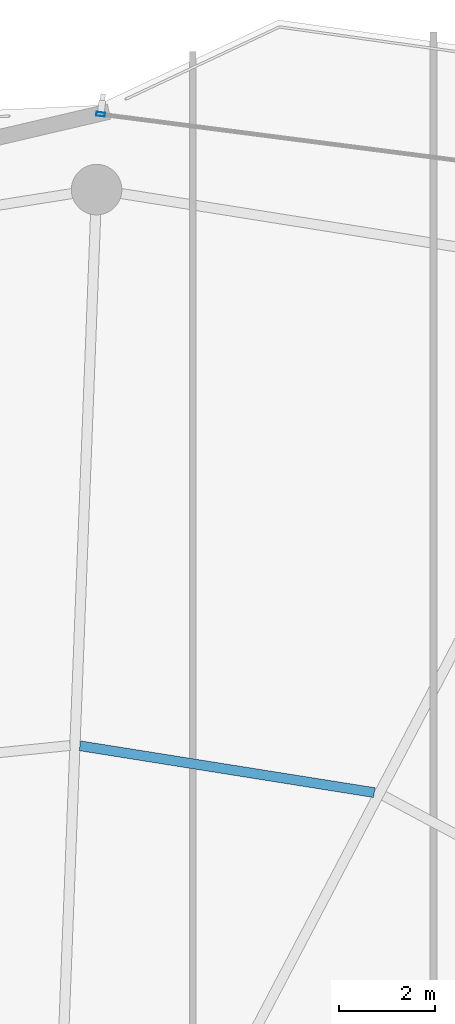
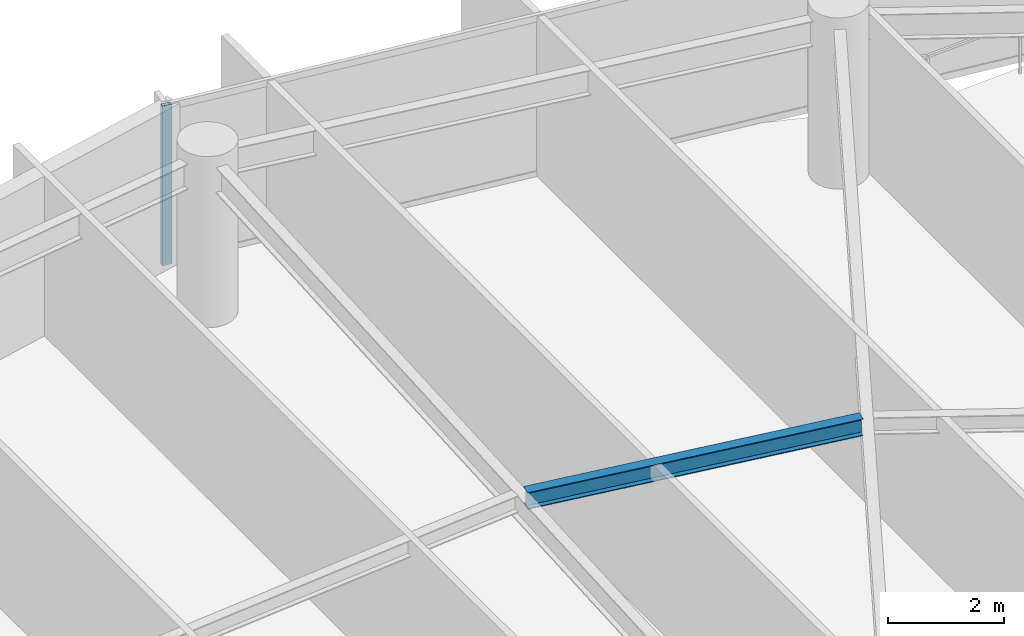
# One storey, part 20 of 30: 1 beam, 1 member, 1 element without a shape of its own.
"""IFC4 building model written with IfcOpenShell, lengths in metres."""

from ifc_helpers import new_model, si_unit, direction, frame, origin, origin_2d, place, context, subcontext, project, spatial, hollow_rectangle, i_section, extrude, material, layer, layer_set, material_profile, profile_set, type_object, element, aggregate, save


model = new_model("IFC4")

# Units and contexts
model_context = context("Model", 3, precision=1e-05, world=origin(), true_north=direction((0.0, 1.0)))
body_context = subcontext(model_context, "Body", "Model", "MODEL_VIEW")
ifc_project = project(units=[si_unit("LENGTHUNIT", "METRE"), si_unit("AREAUNIT", "SQUARE_METRE"), si_unit("VOLUMEUNIT", "CUBIC_METRE"), si_unit("PLANEANGLEUNIT", "RADIAN"), si_unit("MASSUNIT", "GRAM", prefix="KILO")], contexts=[model_context])

# Site, building, storey
site_placement = place(None, origin())
site = spatial("IfcSite", under=ifc_project, at=site_placement, CompositionType="ELEMENT")
building_placement = place(site_placement, origin())
building = spatial("IfcBuilding", under=site, at=building_placement, Name="Kazevale Care Tower and Concert Hall", CompositionType="ELEMENT")
storey_placement = place(building_placement, frame((0.0, 0.0, 242.39990234375)))
storey = spatial("IfcBuildingStorey", under=building, at=storey_placement, Name="L64", CompositionType="ELEMENT", Elevation=242.39990234375)

# Curtain wall, member
ifc_material_1 = material(Name="Aluminium 6063-T6 and Low-E Glass", Category="aluminium")
ifc_layer = layer(ifc_material_1, 0.179931640625)
ifc_layer_set = layer_set([ifc_layer], Name="Aluminium 6063-T6 and Low-E Glass")
curtain_wall_type = type_object("IfcCurtainWallType", Name="Waist & Upper Residential Curtain Wall CW-4", PredefinedType="NOTDEFINED", material=ifc_layer_set)
curtain_wall_placement = place(storey_placement, origin())
curtain_wall = element("IfcCurtainWall", 1, at=curtain_wall_placement, inside=storey, type_object=curtain_wall_type, Name="cw:L64:f16", PredefinedType="NOTDEFINED")
ifc_material_2 = material(Name="Aluminium 6063-T6", Category="aluminium")
ifc_material_profile_1 = material_profile(ifc_material_2, hollow_rectangle(XDim=0.080078125, YDim=0.179931640625, WallThickness=0.0048828125, at=origin_2d()), Name="ALU80x180x5")
ifc_profile_set_1 = profile_set([ifc_material_profile_1], Name="Aluminium 6063-T6")
member_type = type_object("IfcMemberType", Name="CW-4 Mullion ALU80x180x5", PredefinedType="MULLION", material=ifc_profile_set_1)
member_placement = place(storey_placement, frame((45.083740234375, 63.616943359375, 0.0), z_axis=(0.0, 0.0, 1.0), x_axis=(0.128098132904, 0.991761497713, 0.0)))
member = element("IfcMember", 2, at=member_placement, type_object=member_type, Name="CW-4 mullion 1", PredefinedType="MULLION", context=body_context, shape_type="SweptSolid", body=[
    extrude(hollow_rectangle(XDim=0.080078125, YDim=0.179931640625, WallThickness=0.0048828125, at=origin_2d()), origin(), (0.0, 0.0, 1.0), 3.360107421875),
])
aggregate(curtain_wall, [member])

# Beam
ifc_material_3 = material(Name="Steel ASTM A572 Gr 50", Category="steel")
ifc_material_profile_2 = material_profile(ifc_material_3, i_section(OverallWidth=0.205078125, OverallDepth=0.35400390625, WebThickness=0.009521484375, FlangeThickness=0.016845703125, at=origin_2d()), Name="W360x79")
ifc_profile_set_2 = profile_set([ifc_material_profile_2], Name="Steel ASTM A572 Gr 50")
beam_type = type_object("IfcBeamType", Name="Secondary Floor Joist W360x79", PredefinedType="JOIST", material=ifc_profile_set_2)
beam_placement = place(storey_placement, frame((50.77099609375, 49.51806640625, 3.18310546875), z_axis=(-0.987586560603, 0.157075731152, 0.0), x_axis=(-0.157075731152, -0.987586560603, 0.0)))
element("IfcBeam", 3, at=beam_placement, inside=storey, type_object=beam_type, Name="beam:L64:joist:04", PredefinedType="JOIST", context=body_context, shape_type="SweptSolid", body=[
    extrude(i_section(OverallWidth=0.205078125, OverallDepth=0.35400390625, WebThickness=0.009521484375, FlangeThickness=0.016845703125, at=origin_2d()), origin(), (0.0, 0.0, 1.0), 6.19384765625),
])

save(model, "model.ifc")
